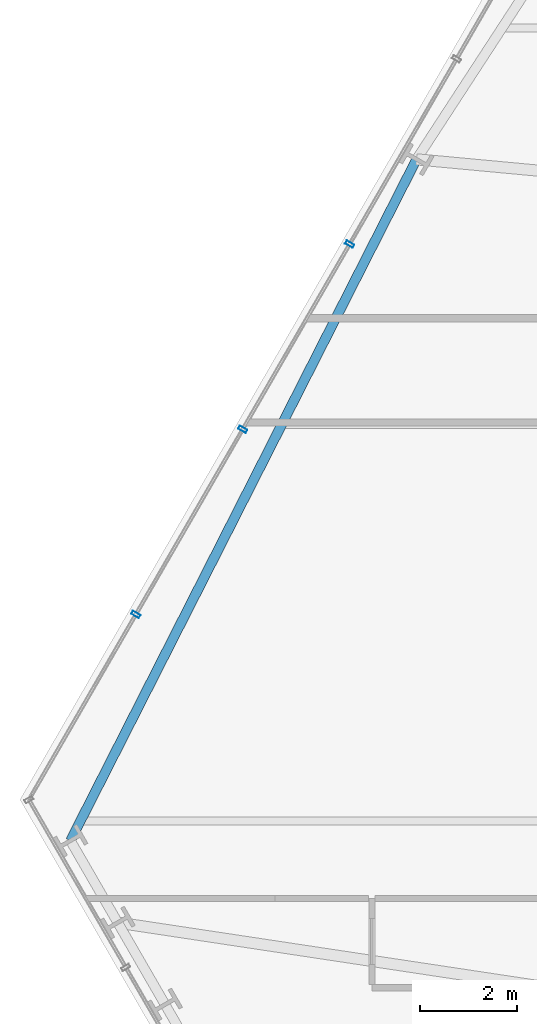
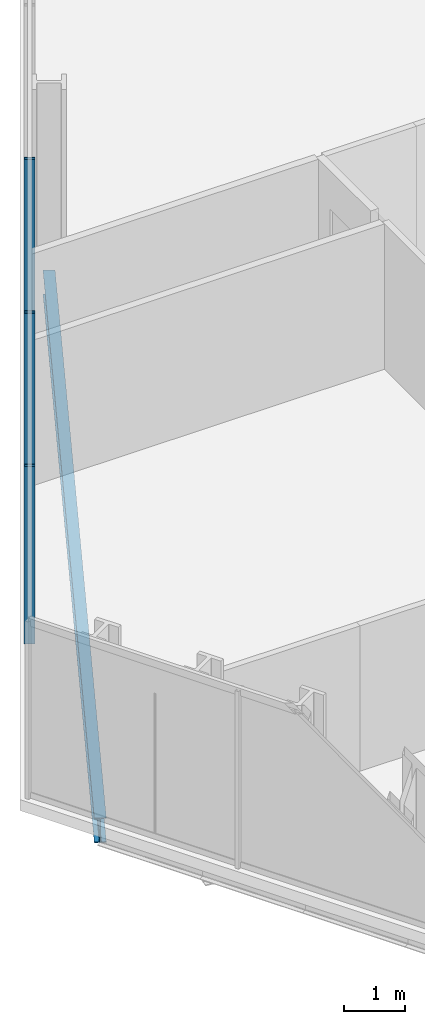
# One storey, part 10 of 32: 3 members, 1 beam, 1 element without a shape of its own.
"""IFC4 building model written with IfcOpenShell, lengths in metres."""

from ifc_helpers import new_model, si_unit, direction, frame, origin, origin_2d, place, context, subcontext, project, spatial, hollow_rectangle, i_section, extrude, material, layer, layer_set, material_profile, profile_set, type_object, element, aggregate, save


model = new_model("IFC4")

# Units and contexts
model_context = context("Model", 3, precision=1e-05, world=origin(), true_north=direction((0.0, 1.0)))
body_context = subcontext(model_context, "Body", "Model", "MODEL_VIEW")
ifc_project = project(units=[si_unit("LENGTHUNIT", "METRE"), si_unit("AREAUNIT", "SQUARE_METRE"), si_unit("VOLUMEUNIT", "CUBIC_METRE"), si_unit("PLANEANGLEUNIT", "RADIAN"), si_unit("MASSUNIT", "GRAM", prefix="KILO")], contexts=[model_context])

# Site, building, storey
site_placement = place(None, origin())
site = spatial("IfcSite", under=ifc_project, at=site_placement, CompositionType="ELEMENT")
building_placement = place(site_placement, origin())
building = spatial("IfcBuilding", under=site, at=building_placement, Name="Ndaravel Arena Tower", CompositionType="ELEMENT")
storey_placement = place(building_placement, frame((0.0, 0.0, 51.199951171875)))
storey = spatial("IfcBuildingStorey", under=building, at=storey_placement, Name="L10", CompositionType="ELEMENT", Elevation=51.199951171875)

# Beam
ifc_material_1 = material(Name="Steel S355", Category="steel")
ifc_material_profile_1 = material_profile(ifc_material_1, i_section(OverallWidth=0.199951171875, OverallDepth=0.5, WebThickness=0.01025390625, FlangeThickness=0.01611328125, FilletRadius=0.02099609375, at=origin_2d()), Name="IPE 500")
ifc_profile_set_1 = profile_set([ifc_material_profile_1], Name="Steel S355")
beam_type = type_object("IfcBeamType", Name="BM-SPAN-IPE500", PredefinedType="SPANDREL", material=ifc_profile_set_1)
beam_placement = place(storey_placement, frame((26.523681640625, 32.285400390625, -0.469970703125), z_axis=(-0.452845189288, -0.891589162416, 0.0), x_axis=(0.891589162416, -0.452845189288, 0.0)))
element("IfcBeam", 1, at=beam_placement, inside=storey, type_object=beam_type, Name="L10 Perimeter Spandrel Beam SP-19", PredefinedType="SPANDREL", context=body_context, shape_type="SweptSolid", body=[
    extrude(i_section(OverallWidth=0.199951171875, OverallDepth=0.5, WebThickness=0.01025390625, FlangeThickness=0.01611328125, FilletRadius=0.02099609375, at=origin_2d()), origin(), (0.0, 0.0, 1.0), 15.80712890625),
])

# Curtain wall, members
ifc_material_2 = material(Name="Aluminium", Category="aluminium")
ifc_layer = layer(ifc_material_2, 0.179931640625)
ifc_layer_set = layer_set([ifc_layer], Name="Aluminium")
curtain_wall_type = type_object("IfcCurtainWallType", Name="CW-SYS-03", PredefinedType="NOTDEFINED", material=ifc_layer_set)
curtain_wall_placement = place(storey_placement, origin())
curtain_wall = element("IfcCurtainWall", 2, at=curtain_wall_placement, inside=storey, type_object=curtain_wall_type, Name="L10 Faceted Crystal Curtain Wall CW-L10-E05", PredefinedType="NOTDEFINED")
ifc_material_3 = material(Name="Aluminium", Category="aluminium")
ifc_material_profile_2 = material_profile(ifc_material_3, hollow_rectangle(XDim=0.074951171875, YDim=0.179931640625, WallThickness=0.00390625, at=origin_2d()), Name="CW MULLION 75x180x4")
ifc_profile_set_2 = profile_set([ifc_material_profile_2], Name="Aluminium")
member_type = type_object("IfcMemberType", Name="MEM-CW-MUL180", PredefinedType="MULLION", material=ifc_profile_set_2)
member_1_placement = place(storey_placement, frame((25.14111328125, 30.5302734375, 0.0), z_axis=(0.0, 0.0, 1.0), x_axis=(-0.5, -0.866025403784, 0.0)))
member_1 = element("IfcMember", 3, at=member_1_placement, type_object=member_type, Name="CW-L10-E05 Mullion 04", PredefinedType="MULLION", context=body_context, shape_type="SweptSolid", body=[
    extrude(hollow_rectangle(XDim=0.074951171875, YDim=0.179931640625, WallThickness=0.00390625, at=origin_2d()), origin(), (0.0, 0.0, 1.0), 3.580078125),
])
member_2_placement = place(storey_placement, frame((22.9296875, 26.699951171875, 0.0), z_axis=(0.0, 0.0, 1.0), x_axis=(-0.5, -0.866025403784, 0.0)))
member_2 = element("IfcMember", 4, at=member_2_placement, type_object=member_type, Name="CW-L10-E05 Mullion 05", PredefinedType="MULLION", context=body_context, shape_type="SweptSolid", body=[
    extrude(hollow_rectangle(XDim=0.074951171875, YDim=0.179931640625, WallThickness=0.00390625, at=origin_2d()), origin(), (0.0, 0.0, 1.0), 3.580078125),
])
member_3_placement = place(storey_placement, frame((20.71826171875, 22.869873046875, 0.0), z_axis=(0.0, 0.0, 1.0), x_axis=(-0.5, -0.866025403784, 0.0)))
member_3 = element("IfcMember", 5, at=member_3_placement, type_object=member_type, Name="CW-L10-E05 Mullion 06", PredefinedType="MULLION", context=body_context, shape_type="SweptSolid", body=[
    extrude(hollow_rectangle(XDim=0.074951171875, YDim=0.179931640625, WallThickness=0.00390625, at=origin_2d()), origin(), (0.0, 0.0, 1.0), 3.580078125),
])
aggregate(curtain_wall, [member_1, member_2, member_3])

save(model, "model.ifc")
